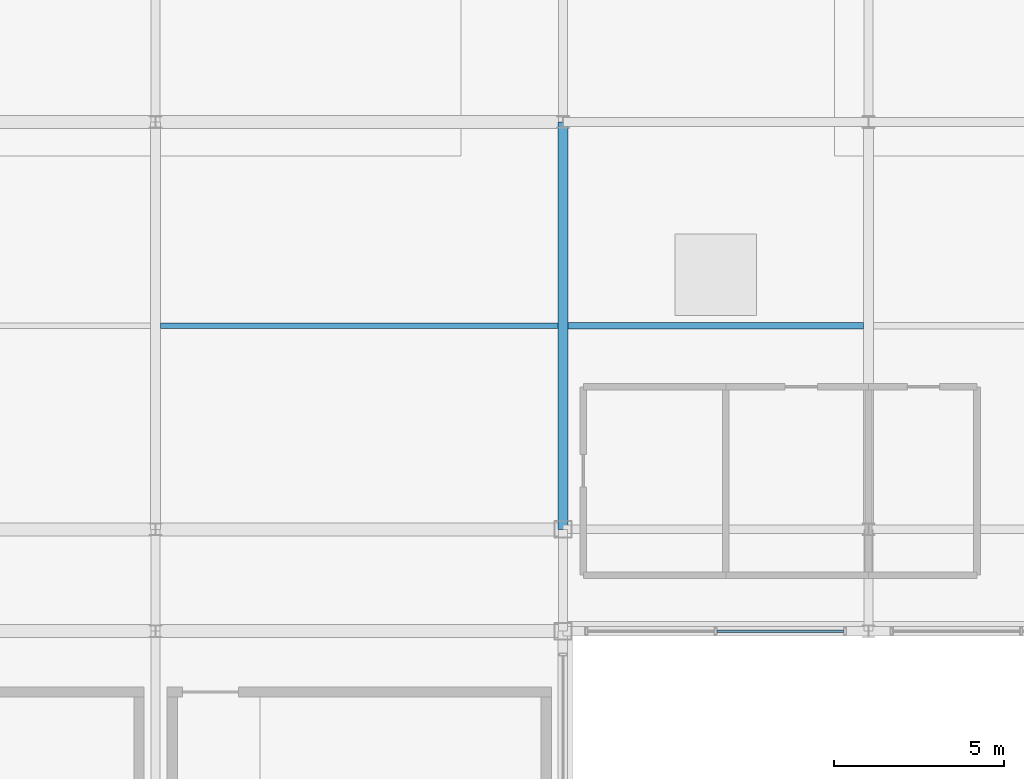
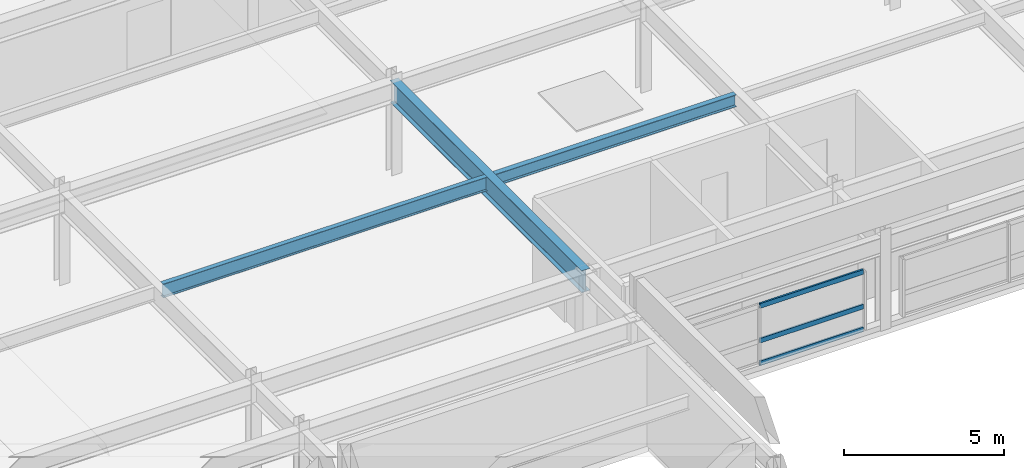
# One storey, part 70 of 108: 3 beams, 3 members, 1 element without a shape of its own.
"""IFC4 building model written with IfcOpenShell, lengths in metres."""

from ifc_helpers import new_model, si_unit, direction, frame, origin, origin_2d, place, context, subcontext, project, spatial, hollow_rectangle, i_section, extrude, material, material_profile, profile_set, type_object, element, aggregate, save


model = new_model("IFC4")

# Units and contexts
model_context = context("Model", 3, precision=1e-05, world=origin(), true_north=direction((0.0, 1.0)))
body_context = subcontext(model_context, "Body", "Model", "MODEL_VIEW")
ifc_project = project(units=[si_unit("LENGTHUNIT", "METRE"), si_unit("AREAUNIT", "SQUARE_METRE"), si_unit("VOLUMEUNIT", "CUBIC_METRE"), si_unit("PLANEANGLEUNIT", "RADIAN"), si_unit("MASSUNIT", "GRAM", prefix="KILO")], contexts=[model_context])

# Site, building, storey
site_placement = place(None, origin())
site = spatial("IfcSite", under=ifc_project, at=site_placement, CompositionType="ELEMENT")
building_placement = place(site_placement, origin())
building = spatial("IfcBuilding", under=site, at=building_placement, Name="Kaldorvane Square Convention Centre", CompositionType="ELEMENT")
storey_placement = place(building_placement, frame((0.0, 0.0, 23.399993896484375)))
storey = spatial("IfcBuildingStorey", under=building, at=storey_placement, Name="L04", CompositionType="ELEMENT", Elevation=23.399993896484375)

# Beams
ifc_material_1 = material(Name="Steel ASTM A992 Gr. 50", Category="steel")
ifc_material_profile_1 = material_profile(ifc_material_1, i_section(OverallWidth=0.292999267578125, OverallDepth=0.845794677734375, WebThickness=0.0153961181640625, FlangeThickness=0.0243988037109375, FilletRadius=0.0178070068359375, at=origin_2d()), Name="W33X141")
ifc_profile_set_1 = profile_set([ifc_material_profile_1], Name="Steel ASTM A992 Gr. 50")
beam_type_1 = type_object("IfcBeamType", Name="BM-GR-W33X141", PredefinedType="BEAM", material=ifc_profile_set_1)
beam_1_placement = place(storey_placement, frame((138.0, 84.0, 3.1031036376953125), z_axis=(0.0, 1.0, 0.0), x_axis=(-1.0, 0.0, 0.0)))
element("IfcBeam", 1, at=beam_1_placement, inside=storey, type_object=beam_type_1, Name="Transverse Girder (L04)", PredefinedType="BEAM", context=body_context, shape_type="SweptSolid", body=[
    extrude(i_section(OverallWidth=0.292999267578125, OverallDepth=0.845794677734375, WebThickness=0.0153961181640625, FlangeThickness=0.0243988037109375, FilletRadius=0.0178070068359375, at=origin_2d()), origin(), (0.0, 0.0, 1.0), 12.0),
])
ifc_material_profile_2 = material_profile(ifc_material_1, i_section(OverallWidth=0.1912994384765625, OverallDepth=0.4600067138671875, WebThickness=0.0099029541015625, FlangeThickness=0.0160064697265625, FilletRadius=0.01019287109375, at=origin_2d()), Name="W18X55")
ifc_profile_set_2 = profile_set([ifc_material_profile_2], Name="Steel ASTM A992 Gr. 50")
beam_type_2 = type_object("IfcBeamType", Name="BM-JS-W18X55", PredefinedType="JOIST", material=ifc_profile_set_2)
beam_2_placement = place(storey_placement, frame((138.14649963378906, 90.0, 3.2960052490234375), z_axis=(1.0, 0.0, 0.0), x_axis=(0.0, 1.0, 0.0)))
element("IfcBeam", 2, at=beam_2_placement, inside=storey, type_object=beam_type_2, Name="Secondary Floor Joist (L04)", PredefinedType="JOIST", context=body_context, shape_type="SweptSolid", body=[
    extrude(i_section(OverallWidth=0.1912994384765625, OverallDepth=0.4600067138671875, WebThickness=0.0099029541015625, FlangeThickness=0.0160064697265625, FilletRadius=0.01019287109375, at=origin_2d()), origin(), (0.0, 0.0, 1.0), 8.707000732421875),
])
ifc_material_profile_3 = material_profile(ifc_material_1, i_section(OverallWidth=0.1658935546875, OverallDepth=0.5290985107421875, WebThickness=0.00970458984375, FlangeThickness=0.0135955810546875, FilletRadius=0.0126953125, at=origin_2d()), Name="W21X50")
ifc_profile_set_3 = profile_set([ifc_material_profile_3], Name="Steel ASTM A992 Gr. 50")
beam_type_3 = type_object("IfcBeamType", Name="BM-JS-W21X50", PredefinedType="JOIST", material=ifc_profile_set_3)
beam_3_placement = place(storey_placement, frame((126.14649963378906, 90.0, 3.26141357421875), z_axis=(1.0, 0.0, 0.0), x_axis=(0.0, 1.0, 0.0)))
element("IfcBeam", 3, at=beam_3_placement, inside=storey, type_object=beam_type_3, Name="Secondary Floor Joist (L04)", PredefinedType="JOIST", context=body_context, shape_type="SweptSolid", body=[
    extrude(i_section(OverallWidth=0.1658935546875, OverallDepth=0.5290985107421875, WebThickness=0.00970458984375, FlangeThickness=0.0135955810546875, FilletRadius=0.0126953125, at=origin_2d()), origin(), (0.0, 0.0, 1.0), 11.707000732421875),
])

# Curtain wall, members
ifc_material_2 = material(Name="Anodized Aluminum and Low-E Insulated Glazing", Category="aluminium")
curtain_wall_type = type_object("IfcCurtainWallType", Name="CW-PTS-FC-42", PredefinedType="USERDEFINED", material=ifc_material_2)
curtain_wall_placement = place(storey_placement, origin())
curtain_wall = element("IfcCurtainWall", 4, at=curtain_wall_placement, inside=storey, type_object=curtain_wall_type, Name="Curtain Wall CW-09 (L04)", ObjectType="POINT SUPPORTED GLAZING", PredefinedType="USERDEFINED")
ifc_material_profile_4 = material_profile(ifc_material_2, hollow_rectangle(XDim=0.06500244140625, YDim=0.17999267578125, WallThickness=0.0034942626953125, at=origin_2d()), Name="CWT-180X65")
ifc_profile_set_4 = profile_set([ifc_material_profile_4], Name="Anodized Aluminum and Low-E Insulated Glazing")
member_type = type_object("IfcMemberType", Name="CW-TRN-180", PredefinedType="USERDEFINED", material=ifc_profile_set_4)
member_1_placement = place(storey_placement, frame((142.53750610351562, 81.0, 0.1825103759765625), z_axis=(1.0, 0.0, 0.0), x_axis=(0.0, 1.0, 0.0)))
member_1 = element("IfcMember", 5, at=member_1_placement, type_object=member_type, Name="CW-09 transom 2.1", ObjectType="TRANSOM", PredefinedType="USERDEFINED", context=body_context, shape_type="SweptSolid", body=[
    extrude(hollow_rectangle(XDim=0.06500244140625, YDim=0.17999267578125, WallThickness=0.0034942626953125, at=origin_2d()), origin(), (0.0, 0.0, 1.0), 3.73748779296875),
])
member_2_placement = place(storey_placement, frame((142.53750610351562, 81.0, 1.0500030517578125), z_axis=(1.0, 0.0, 0.0), x_axis=(0.0, 1.0, 0.0)))
member_2 = element("IfcMember", 6, at=member_2_placement, type_object=member_type, Name="CW-09 transom 2.2", ObjectType="TRANSOM", PredefinedType="USERDEFINED", context=body_context, shape_type="SweptSolid", body=[
    extrude(hollow_rectangle(XDim=0.06500244140625, YDim=0.17999267578125, WallThickness=0.0034942626953125, at=origin_2d()), origin(), (0.0, 0.0, 1.0), 3.73748779296875),
])
member_3_placement = place(storey_placement, frame((142.53750610351562, 81.0, 2.37750244140625), z_axis=(1.0, 0.0, 0.0), x_axis=(0.0, 1.0, 0.0)))
member_3 = element("IfcMember", 7, at=member_3_placement, type_object=member_type, Name="CW-09 transom 2.3", ObjectType="TRANSOM", PredefinedType="USERDEFINED", context=body_context, shape_type="SweptSolid", body=[
    extrude(hollow_rectangle(XDim=0.06500244140625, YDim=0.17999267578125, WallThickness=0.0034942626953125, at=origin_2d()), origin(), (0.0, 0.0, 1.0), 3.73748779296875),
])
aggregate(curtain_wall, [member_1, member_2, member_3])

save(model, "model.ifc")
